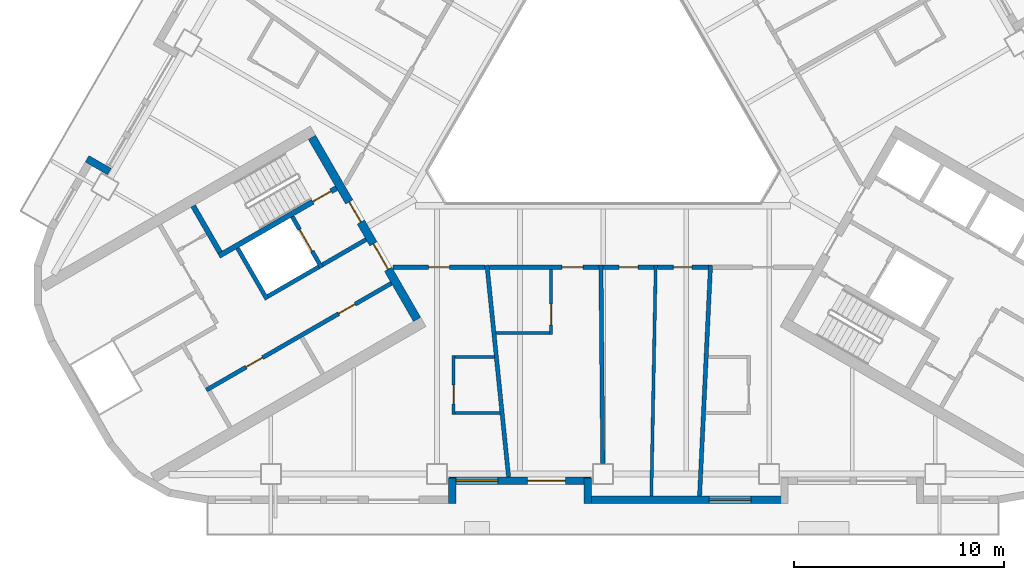
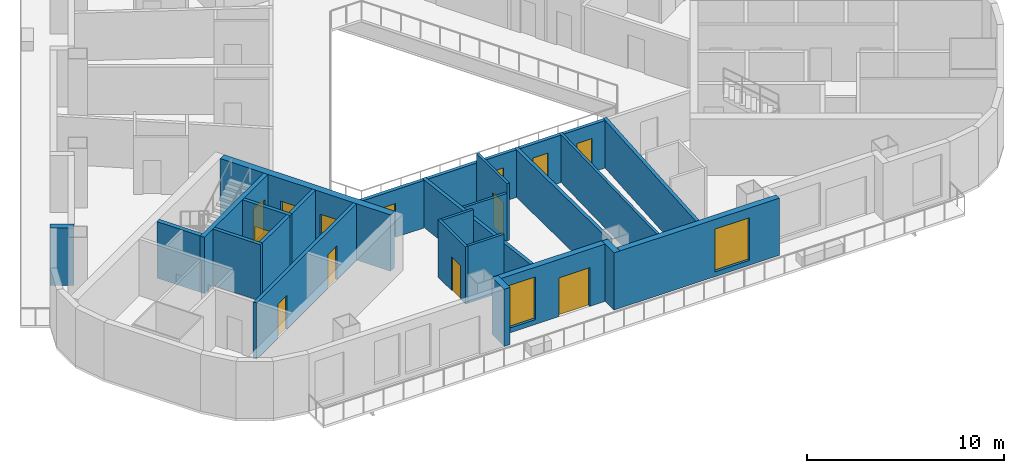
# One storey, part 3 of 14: 26 walls, 13 doors, 2 windows, 15 openings.
"""IFC4 building model written with IfcOpenShell, lengths in metres."""

from ifc_helpers import new_model, si_unit, direction, frame, frame_2d, origin, place, context, subcontext, project, spatial, rectangle, extrude, material, layer, layer_set, type_object, element, fill, save


model = new_model("IFC4")

# Units and contexts
model_context = context("Model", 3, precision=1e-05, world=origin(), true_north=direction((0.0, 1.0)))
body_context = subcontext(model_context, "Body", "Model", "MODEL_VIEW")
ifc_project = project(units=[si_unit("LENGTHUNIT", "METRE"), si_unit("AREAUNIT", "SQUARE_METRE"), si_unit("VOLUMEUNIT", "CUBIC_METRE"), si_unit("PLANEANGLEUNIT", "RADIAN"), si_unit("MASSUNIT", "GRAM", prefix="KILO")], contexts=[model_context])

# Site, building, storey
site_placement = place(None, origin())
site = spatial("IfcSite", under=ifc_project, at=site_placement, CompositionType="ELEMENT")
building_placement = place(site_placement, origin())
building = spatial("IfcBuilding", under=site, at=building_placement, Name="Apuvela Tower Hotel", CompositionType="ELEMENT")
storey_placement = place(building_placement, frame((0.0, 0.0, 72.39990234375)))
storey = spatial("IfcBuildingStorey", under=building, at=storey_placement, Name="L15", CompositionType="ELEMENT", Elevation=72.39990234375)

# Wall, openings, doors
ifc_material_1 = material(Name="Concrete C50/60", Category="concrete")
ifc_layer_1 = layer(ifc_material_1, 0.39990234375)
ifc_layer_set_1 = layer_set([ifc_layer_1], Name="COR-WALL-CORE-400")
wall_type_1 = type_object("IfcWallType", Name="COR-WALL-CORE-400", PredefinedType="SHEAR", material=ifc_layer_set_1)
wall_1_placement = place(storey_placement, frame((-13.844970703125, -2.219970703125, 0.0), z_axis=(0.0, 0.0, 1.0), x_axis=(0.500004234368, -0.866022959057, 0.0)))
wall_1 = element("IfcWall", 1, at=wall_1_placement, inside=storey, type_object=wall_type_1, Name="Core wall SW", PredefinedType="SHEAR", context=body_context, shape_type="SweptSolid", body=[
    extrude(rectangle(XDim=10.0, YDim=0.39990234375, at=frame_2d((5.0, 0.0))), origin(), (0.0, 0.0, 1.0), 3.5),
])
opening_1_placement = place(wall_1_placement, frame((3.550048828125, 0.0, 0.0)))
opening_1 = element("IfcOpeningElement", 2, at=opening_1_placement, cuts=wall_1, Name="Opening W-FD", PredefinedType="OPENING", context=body_context, shape_type="SweptSolid", body=[
    extrude(rectangle(XDim=1.10009765625, YDim=2.10009765625, at=frame_2d((0.550048828125, 1.050048828125))), frame((0.0, 0.2099609375, 0.0), z_axis=(0.0, -1.0, 0.0), x_axis=(1.0, 0.0, 0.0)), (0.0, 0.0, 1.0), 0.419921875),
])
opening_2_placement = place(wall_1_placement, frame((5.85009765625, 0.0, 0.0)))
opening_2 = element("IfcOpeningElement", 3, at=opening_2_placement, cuts=wall_1, Name="Opening W-GD", PredefinedType="OPENING", context=body_context, shape_type="SweptSolid", body=[
    extrude(rectangle(XDim=1.39990234375, YDim=2.10009765625, at=frame_2d((0.699951171875, 1.050048828125))), frame((0.0, 0.2099609375, 0.0), z_axis=(0.0, -1.0, 0.0), x_axis=(1.0, 0.0, 0.0)), (0.0, 0.0, 1.0), 0.419921875),
])
ifc_material_2 = material(Name="Steel fire door, powder coated", Category="steel")
door_type_1 = type_object("IfcDoorType", Name="COR-FD-1100", OperationType="NOTDEFINED", PredefinedType="DOOR", material=ifc_material_2)
door_1_placement = place(opening_1_placement, frame((1.10009765625, 0.0, 0.0), z_axis=(0.0, 0.0, 1.0), x_axis=(-1.0, 0.0, 0.0)))
door_1 = element("IfcDoor", 4, at=door_1_placement, inside=storey, type_object=door_type_1, Name="Firefighting lobby door W-FD", OperationType="SINGLE_SWING_LEFT", OverallHeight=2.10009765625, OverallWidth=1.10009765625, PredefinedType="DOOR", context=body_context, shape_type="SweptSolid", body=[
    extrude(rectangle(XDim=1.10009765625, YDim=2.10009765625, at=frame_2d((0.550048828125, 1.050048828125))), frame((0.0, 0.02490234375, 0.0), z_axis=(0.0, -1.0, 0.0), x_axis=(1.0, 0.0, 0.0)), (0.0, 0.0, 1.0), 0.050048828125),
])
fill(opening_1, door_1)
ifc_material_3 = material(Name="Glazed steel fire door", Category="steel")
door_type_2 = type_object("IfcDoorType", Name="COR-GD-1400", OperationType="DOUBLE_DOOR_SINGLE_SWING", PredefinedType="DOOR", material=ifc_material_3)
door_2_placement = place(opening_2_placement, frame((1.39990234375, 0.0, 0.0), z_axis=(0.0, 0.0, 1.0), x_axis=(-1.0, 0.0, 0.0)))
door_2 = element("IfcDoor", 5, at=door_2_placement, inside=storey, type_object=door_type_2, Name="Lift lobby door W-GD", OperationType="DOUBLE_DOOR_SINGLE_SWING", OverallHeight=2.10009765625, OverallWidth=1.39990234375, PredefinedType="DOOR", context=body_context, shape_type="SweptSolid", body=[
    extrude(rectangle(XDim=1.39990234375, YDim=2.10009765625, at=frame_2d((0.699951171875, 1.050048828125))), frame((0.0, 0.02490234375, 0.0), z_axis=(0.0, -1.0, 0.0), x_axis=(1.0, 0.0, 0.0)), (0.0, 0.0, 1.0), 0.050048828125),
])
fill(opening_2, door_2)

# Wall
ifc_layer_2 = layer(ifc_material_1, 0.199951171875)
ifc_layer_set_2 = layer_set([ifc_layer_2], Name="COR-WALL-SHAFT-200")
wall_type_2 = type_object("IfcWallType", Name="COR-WALL-SHAFT-200", PredefinedType="SHEAR", material=ifc_layer_set_2)
wall_2_placement = place(storey_placement, frame((-17.38134765625, -7.49462890625, 0.0), z_axis=(0.0, 0.0, 1.0), x_axis=(0.500011755427, -0.866018616679, 0.0)))
element("IfcWall", 6, at=wall_2_placement, inside=storey, type_object=wall_type_2, Name="Shaft wall SW", PredefinedType="SHEAR", context=body_context, shape_type="SweptSolid", body=[
    extrude(rectangle(XDim=2.80029296875, YDim=0.199951171875, at=frame_2d((1.400146484375, 0.0))), origin(), (0.0, 0.0, 1.0), 3.5),
])

# Wall, opening, door
wall_3_placement = place(storey_placement, frame((-14.783203125, -5.99462890625, 0.0), z_axis=(0.0, 0.0, 1.0), x_axis=(0.49994636267, -0.866056369097, 0.0)))
wall_3 = element("IfcWall", 7, at=wall_3_placement, inside=storey, type_object=wall_type_2, Name="Shaft wall SW", PredefinedType="SHEAR", context=body_context, shape_type="SweptSolid", body=[
    extrude(rectangle(XDim=2.800048828125, YDim=0.199951171875, at=frame_2d((1.39990234375, 0.0))), origin(), (0.0, 0.0, 1.0), 3.5),
])
opening_3_placement = place(wall_3_placement, frame((0.699951171875, 0.0, 0.0)))
opening_3 = element("IfcOpeningElement", 8, at=opening_3_placement, cuts=wall_3, Name="Opening W-LD-FS2", PredefinedType="OPENING", context=body_context, shape_type="SweptSolid", body=[
    extrude(rectangle(XDim=1.199951171875, YDim=2.10009765625, at=frame_2d((0.60009765625, 1.050048828125))), frame((0.0, 0.10986328125, 0.0), z_axis=(0.0, -1.0, 0.0), x_axis=(1.0, 0.0, 0.0)), (0.0, 0.0, 1.0), 0.219970703125),
])
ifc_material_4 = material(Name="Stainless steel lift landing door", Category="steel")
door_type_3 = type_object("IfcDoorType", Name="COR-LD-1200", OperationType="DOUBLE_DOOR_SLIDING", PredefinedType="DOOR", material=ifc_material_4)
door_3_placement = place(opening_3_placement, origin())
door_3 = element("IfcDoor", 9, at=door_3_placement, inside=storey, type_object=door_type_3, Name="Lift landing door W-LD-FS2", OperationType="DOUBLE_DOOR_SLIDING", OverallHeight=2.10009765625, OverallWidth=1.199951171875, PredefinedType="DOOR", context=body_context, shape_type="SweptSolid", body=[
    extrude(rectangle(XDim=1.199951171875, YDim=2.10009765625, at=frame_2d((0.60009765625, 1.050048828125))), frame((0.0, 0.02490234375, 0.0), z_axis=(0.0, -1.0, 0.0), x_axis=(1.0, 0.0, 0.0)), (0.0, 0.0, 1.0), 0.050048828125),
])
fill(opening_3, door_3)

# Walls
wall_4_placement = place(storey_placement, frame((-13.519775390625, -8.383056640625, 0.0), z_axis=(0.0, 0.0, 1.0), x_axis=(-0.866034573852, -0.49998411664, 0.0)))
element("IfcWall", 10, at=wall_4_placement, inside=storey, type_object=wall_type_2, Name="Shaft wall SW", PredefinedType="SHEAR", context=body_context, shape_type="SweptSolid", body=[
    extrude(rectangle(XDim=2.7998046875, YDim=0.199951171875, at=frame_2d((1.39990234375, 0.0))), origin(), (0.0, 0.0, 1.0), 3.5),
])
wall_5_placement = place(storey_placement, frame((-11.26806640625, -7.0830078125, 0.0), z_axis=(0.0, 0.0, 1.0), x_axis=(-0.866050077142, -0.499957262057, 0.0)))
element("IfcWall", 11, at=wall_5_placement, inside=storey, type_object=wall_type_2, Name="Shaft wall SW", PredefinedType="SHEAR", context=body_context, shape_type="SweptSolid", body=[
    extrude(rectangle(XDim=2.400146484375, YDim=0.199951171875, at=frame_2d((1.2001953125, 0.0))), origin(), (0.0, 0.0, 1.0), 3.5),
])

# Wall, openings, doors
wall_6_placement = place(storey_placement, frame((-10.068115234375, -9.16162109375, 0.0), z_axis=(0.0, 0.0, 1.0), x_axis=(-0.866032725843, -0.499987317609, 0.0)))
wall_6 = element("IfcWall", 12, at=wall_6_placement, inside=storey, type_object=wall_type_2, Name="Shaft wall SW", PredefinedType="SHEAR", context=body_context, shape_type="SweptSolid", body=[
    extrude(rectangle(XDim=10.159912109375, YDim=0.199951171875, at=frame_2d((5.080078125, 0.0))), origin(), (0.0, 0.0, 1.0), 3.5),
])
opening_4_placement = place(wall_6_placement, frame((1.989990234375, 0.0, 0.0)))
opening_4 = element("IfcOpeningElement", 13, at=opening_4_placement, cuts=wall_6, Name="Opening W-RE1", PredefinedType="OPENING", context=body_context, shape_type="SweptSolid", body=[
    extrude(rectangle(XDim=0.89990234375, YDim=2.10009765625, at=frame_2d((0.449951171875, 1.050048828125))), frame((0.0, 0.10986328125, 0.0), z_axis=(0.0, -1.0, 0.0), x_axis=(1.0, 0.0, 0.0)), (0.0, 0.0, 1.0), 0.219970703125),
])
opening_5_placement = place(wall_6_placement, frame((7.070068359375, 0.0, 0.0)))
opening_5 = element("IfcOpeningElement", 14, at=opening_5_placement, cuts=wall_6, Name="Opening W-RE3", PredefinedType="OPENING", context=body_context, shape_type="SweptSolid", body=[
    extrude(rectangle(XDim=0.89990234375, YDim=2.10009765625, at=frame_2d((0.449951171875, 1.050048828125))), frame((0.0, 0.10986328125, 0.0), z_axis=(0.0, -1.0, 0.0), x_axis=(1.0, 0.0, 0.0)), (0.0, 0.0, 1.0), 0.219970703125),
])
door_type_4 = type_object("IfcDoorType", Name="COR-DR-900", OperationType="NOTDEFINED", PredefinedType="DOOR", material=ifc_material_2)
door_4_placement = place(opening_4_placement, origin())
door_4 = element("IfcDoor", 15, at=door_4_placement, inside=storey, type_object=door_type_4, Name="Store door W-RE1", OperationType="SINGLE_SWING_LEFT", OverallHeight=2.10009765625, OverallWidth=0.89990234375, PredefinedType="DOOR", context=body_context, shape_type="SweptSolid", body=[
    extrude(rectangle(XDim=0.89990234375, YDim=2.10009765625, at=frame_2d((0.449951171875, 1.050048828125))), frame((0.0, 0.02490234375, 0.0), z_axis=(0.0, -1.0, 0.0), x_axis=(1.0, 0.0, 0.0)), (0.0, 0.0, 1.0), 0.050048828125),
])
fill(opening_4, door_4)
door_5_placement = place(opening_5_placement, origin())
door_5 = element("IfcDoor", 16, at=door_5_placement, inside=storey, type_object=door_type_4, Name="Store door W-RE3", OperationType="SINGLE_SWING_LEFT", OverallHeight=2.10009765625, OverallWidth=0.89990234375, PredefinedType="DOOR", context=body_context, shape_type="SweptSolid", body=[
    extrude(rectangle(XDim=0.89990234375, YDim=2.10009765625, at=frame_2d((0.449951171875, 1.050048828125))), frame((0.0, 0.02490234375, 0.0), z_axis=(0.0, -1.0, 0.0), x_axis=(1.0, 0.0, 0.0)), (0.0, 0.0, 1.0), 0.050048828125),
])
fill(opening_5, door_5)

# Wall, opening, door
ifc_layer_3 = layer(ifc_material_1, 0.25)
ifc_layer_set_3 = layer_set([ifc_layer_3], Name="COR-WALL-STAIR-250")
wall_type_3 = type_object("IfcWallType", Name="COR-WALL-STAIR-250", PredefinedType="SHEAR", material=ifc_layer_set_3)
wall_7_placement = place(storey_placement, frame((-12.6806640625, -4.636474609375, 0.0), z_axis=(0.0, 0.0, 1.0), x_axis=(-0.866021702275, -0.500006411147, 0.0)))
wall_7 = element("IfcWall", 17, at=wall_7_placement, inside=storey, type_object=wall_type_3, Name="Stair wall SW", PredefinedType="SHEAR", context=body_context, shape_type="SweptSolid", body=[
    extrude(rectangle(XDim=6.4501953125, YDim=0.25, at=frame_2d((3.22509765625, 0.0))), origin(), (0.0, 0.0, 1.0), 3.5),
])
opening_6_placement = place(wall_7_placement, frame((0.300048828125, 0.0, 0.0)))
opening_6 = element("IfcOpeningElement", 18, at=opening_6_placement, cuts=wall_7, Name="Opening W-SD", PredefinedType="OPENING", context=body_context, shape_type="SweptSolid", body=[
    extrude(rectangle(XDim=1.0, YDim=2.10009765625, at=frame_2d((0.5, 1.050048828125))), frame((0.0, 0.135009765625, 0.0), z_axis=(0.0, -1.0, 0.0), x_axis=(1.0, 0.0, 0.0)), (0.0, 0.0, 1.0), 0.27001953125),
])
door_type_5 = type_object("IfcDoorType", Name="COR-SD-1000", OperationType="NOTDEFINED", PredefinedType="DOOR", material=ifc_material_2)
door_6_placement = place(opening_6_placement, frame((1.0, 0.0, 0.0), z_axis=(0.0, 0.0, 1.0), x_axis=(-1.0, 0.0, 0.0)))
door_6 = element("IfcDoor", 19, at=door_6_placement, inside=storey, type_object=door_type_5, Name="Stair door W-SD", OperationType="SINGLE_SWING_LEFT", OverallHeight=2.10009765625, OverallWidth=1.0, PredefinedType="DOOR", context=body_context, shape_type="SweptSolid", body=[
    extrude(rectangle(XDim=1.0, YDim=2.10009765625, at=frame_2d((0.5, 1.050048828125))), frame((0.0, 0.02490234375, 0.0), z_axis=(0.0, -1.0, 0.0), x_axis=(1.0, 0.0, 0.0)), (0.0, 0.0, 1.0), 0.050048828125),
])
fill(opening_6, door_6)

# Walls
wall_8_placement = place(storey_placement, frame((-19.49560546875, -5.482421875, 0.0), z_axis=(0.0, 0.0, 1.0), x_axis=(0.499990435942, -0.866030925526, 0.0)))
element("IfcWall", 20, at=wall_8_placement, inside=storey, type_object=wall_type_3, Name="Stair wall SW", PredefinedType="SHEAR", context=body_context, shape_type="SweptSolid", body=[
    extrude(rectangle(XDim=2.5498046875, YDim=0.25, at=frame_2d((1.27490234375, 0.0))), origin(), (0.0, 0.0, 1.0), 3.5),
])
ifc_material_5 = material(Name="Concrete C40/50, dark pigmented precast panel", Category="concrete")
ifc_layer_4 = layer(ifc_material_5, 0.35009765625)
ifc_layer_set_4 = layer_set([ifc_layer_4], Name="ENV-WALL-350")
wall_type_4 = type_object("IfcWallType", Name="ENV-WALL-350", PredefinedType="SOLIDWALL", material=ifc_layer_set_4)
for number, where, z_axis, x_axis, name in (
    (21, (-23.48095703125, -3.85009765625, 0.0), (0.0, 0.0, 1.0), (-0.866092288191, 0.499884134912, 0.0), "External wall L15-08"),
    (22, (-7.175048828125, -19.6298828125, 0.0), (0.0, 0.0, 1.0), (0.0, 1.0, 0.0), "External wall L15-18"),
):
    element("IfcWall", number, at=place(storey_placement, frame(where, z_axis=z_axis, x_axis=x_axis)), inside=storey, type_object=wall_type_4, Name=name, PredefinedType="SOLIDWALL", context=body_context, shape_type="SweptSolid", body=[
        extrude(rectangle(XDim=1.219970703125, YDim=0.35009765625, at=frame_2d((0.60986328125, 0.0))), origin(), (0.0, 0.0, 1.0), 3.550048828125),
    ])

# Wall, openings, door, window
wall_9_placement = place(storey_placement, frame((-7.320068359375, -18.554931640625, 0.0), z_axis=(0.0, 0.0, 1.0), x_axis=(1.0, 0.0, 0.0)))
wall_9 = element("IfcWall", 23, at=wall_9_placement, inside=storey, type_object=wall_type_4, Name="External wall L15-19", PredefinedType="SOLIDWALL", context=body_context, shape_type="SweptSolid", body=[
    extrude(rectangle(XDim=6.739990234375, YDim=0.35009765625, at=frame_2d((3.3701171875, 0.0))), origin(), (0.0, 0.0, 1.0), 3.550048828125),
])
opening_7_placement = place(wall_9_placement, frame((0.3203125, 0.0, 0.300048828125)))
opening_7 = element("IfcOpeningElement", 24, at=opening_7_placement, cuts=wall_9, Name="Opening WN20", PredefinedType="OPENING", context=body_context, shape_type="SweptSolid", body=[
    extrude(rectangle(XDim=2.0, YDim=2.64990234375, at=frame_2d((1.0, 1.324951171875))), frame((0.0, 0.18505859375, 0.0), z_axis=(0.0, -1.0, 0.0), x_axis=(1.0, 0.0, 0.0)), (0.0, 0.0, 1.0), 0.3701171875),
])
opening_8_placement = place(wall_9_placement, frame((3.7236328125, 0.0, 0.0)))
opening_8 = element("IfcOpeningElement", 25, at=opening_8_placement, cuts=wall_9, Name="Opening BD18", PredefinedType="OPENING", context=body_context, shape_type="SweptSolid", body=[
    extrude(rectangle(XDim=1.800048828125, YDim=2.39990234375, at=frame_2d((0.89990234375, 1.199951171875))), frame((0.0, 0.18505859375, 0.0), z_axis=(0.0, -1.0, 0.0), x_axis=(1.0, 0.0, 0.0)), (0.0, 0.0, 1.0), 0.3701171875),
])
ifc_material_6 = material(Name="Aluminium 6063-T6, dark bronze anodised frame with dark tinted laminated glass", Category="aluminium")
door_type_6 = type_object("IfcDoorType", Name="ENV-DOOR-BALCONY-1800x2400", OperationType="SLIDING_TO_LEFT", PredefinedType="DOOR", material=ifc_material_6)
door_7_placement = place(opening_8_placement, frame((1.800048828125, 0.0, 0.0), z_axis=(0.0, 0.0, 1.0), x_axis=(-1.0, 0.0, 0.0)))
door_7 = element("IfcDoor", 26, at=door_7_placement, inside=storey, type_object=door_type_6, Name="Balcony door BD18", OperationType="SLIDING_TO_LEFT", OverallHeight=2.39990234375, OverallWidth=1.800048828125, PredefinedType="DOOR", context=body_context, shape_type="SweptSolid", body=[
    extrude(rectangle(XDim=1.800048828125, YDim=2.39990234375, at=frame_2d((0.89990234375, 1.199951171875))), frame((0.0, 0.02490234375, 0.0), z_axis=(0.0, -1.0, 0.0), x_axis=(1.0, 0.0, 0.0)), (0.0, 0.0, 1.0), 0.050048828125),
])
fill(opening_8, door_7)
ifc_material_7 = material(Name="Glass, dark tinted laminated insulated glazing unit", Category="glass")
window_type = type_object("IfcWindowType", Name="ENV-WIN-2000x2650", PartitioningType="SINGLE_PANEL", PredefinedType="WINDOW", material=ifc_material_7)
window_1_placement = place(opening_7_placement, origin())
window_1 = element("IfcWindow", 27, at=window_1_placement, inside=storey, type_object=window_type, Name="Window WN20", OverallHeight=2.64990234375, OverallWidth=2.0, PartitioningType="SINGLE_PANEL", PredefinedType="WINDOW", context=body_context, shape_type="SweptSolid", body=[
    extrude(rectangle(XDim=2.0, YDim=2.64990234375, at=frame_2d((1.0, 1.324951171875))), frame((0.0, 0.030029296875, 0.0), z_axis=(0.0, -1.0, 0.0), x_axis=(1.0, 0.0, 0.0)), (0.0, 0.0, 1.0), 0.06005859375),
])
fill(opening_7, window_1)

# Wall
wall_10_placement = place(storey_placement, frame((-0.72509765625, -18.409912109375, 0.0), z_axis=(0.0, 0.0, 1.0), x_axis=(0.0, -1.0, 0.0)))
element("IfcWall", 28, at=wall_10_placement, inside=storey, type_object=wall_type_4, Name="External wall L15-20", PredefinedType="SOLIDWALL", context=body_context, shape_type="SweptSolid", body=[
    extrude(rectangle(XDim=1.219970703125, YDim=0.35009765625, at=frame_2d((0.60986328125, 0.0))), origin(), (0.0, 0.0, 1.0), 3.550048828125),
])

# Wall, opening, window
wall_11_placement = place(storey_placement, frame((-0.89990234375, -19.455078125, 0.0), z_axis=(0.0, 0.0, 1.0), x_axis=(1.0, 0.0, 0.0)))
wall_11 = element("IfcWall", 29, at=wall_11_placement, inside=storey, type_object=wall_type_4, Name="External wall L15-21", PredefinedType="SOLIDWALL", context=body_context, shape_type="SweptSolid", body=[
    extrude(rectangle(XDim=9.699951171875, YDim=0.35009765625, at=frame_2d((4.85009765625, 0.0))), origin(), (0.0, 0.0, 1.0), 3.550048828125),
])
opening_9_placement = place(wall_11_placement, frame((5.9404296875, 0.0, 0.300048828125)))
opening_9 = element("IfcOpeningElement", 30, at=opening_9_placement, cuts=wall_11, Name="Opening WN20", PredefinedType="OPENING", context=body_context, shape_type="SweptSolid", body=[
    extrude(rectangle(XDim=2.0, YDim=2.64990234375, at=frame_2d((1.0, 1.324951171875))), frame((0.0, 0.18505859375, 0.0), z_axis=(0.0, -1.0, 0.0), x_axis=(1.0, 0.0, 0.0)), (0.0, 0.0, 1.0), 0.3701171875),
])
window_2_placement = place(opening_9_placement, origin())
window_2 = element("IfcWindow", 31, at=window_2_placement, inside=storey, type_object=window_type, Name="Window WN20", OverallHeight=2.64990234375, OverallWidth=2.0, PartitioningType="SINGLE_PANEL", PredefinedType="WINDOW", context=body_context, shape_type="SweptSolid", body=[
    extrude(rectangle(XDim=2.0, YDim=2.64990234375, at=frame_2d((1.0, 1.324951171875))), frame((0.0, 0.030029296875, 0.0), z_axis=(0.0, -1.0, 0.0), x_axis=(1.0, 0.0, 0.0)), (0.0, 0.0, 1.0), 0.06005859375),
])
fill(opening_9, window_2)

# Walls
ifc_material_8 = material(Name="Gypsum board partition on twin steel stud", Category="steel")
ifc_layer_5 = layer(ifc_material_8, 0.199951171875)
ifc_layer_set_5 = layer_set([ifc_layer_5], Name="GST-PW1")
wall_type_5 = type_object("IfcWallType", Name="GST-PW1", PredefinedType="PARTITIONING", material=ifc_layer_set_5)
wall_12_placement = place(storey_placement, frame((-4.49169921875, -18.3798828125, 0.0), z_axis=(0.0, 0.0, 1.0), x_axis=(-0.101538508549, 0.994831609511, 0.0)))
element("IfcWall", 32, at=wall_12_placement, inside=storey, type_object=wall_type_5, Name="L15 partition 01", PredefinedType="PARTITIONING", context=body_context, shape_type="SweptSolid", body=[
    extrude(rectangle(XDim=10.132080078125, YDim=0.199951171875, at=frame_2d((5.06591796875, 0.0))), origin(), (0.0, 0.0, 1.0), 2.960205078125),
])
wall_13_placement = place(storey_placement, frame((-0.014404296875, -17.72998046875, 0.0), z_axis=(0.0, 0.0, 1.0), x_axis=(-0.00926821032, 0.999957049216, 0.0)))
element("IfcWall", 33, at=wall_13_placement, inside=storey, type_object=wall_type_5, Name="L15 partition 02", PredefinedType="PARTITIONING", context=body_context, shape_type="SweptSolid", body=[
    extrude(rectangle(XDim=9.430419921875, YDim=0.199951171875, at=frame_2d((4.71533203125, 0.0))), origin(), (0.0, 0.0, 1.0), 2.9501953125),
])
wall_14_placement = place(storey_placement, frame((4.590087890625, -19.280029296875, 0.0), z_axis=(0.0, 0.0, 1.0), x_axis=(0.04726334954, 0.998882463451, 0.0)))
element("IfcWall", 34, at=wall_14_placement, inside=storey, type_object=wall_type_5, Name="L15 partition 03", PredefinedType="PARTITIONING", context=body_context, shape_type="SweptSolid", body=[
    extrude(rectangle(XDim=10.9921875, YDim=0.199951171875, at=frame_2d((5.49609375, 0.0))), origin(), (0.0, 0.0, 1.0), 2.960205078125),
])

# Wall, opening, door
ifc_material_9 = material(Name="Gypsum board corridor wall on twin steel stud, acoustic", Category="steel")
ifc_layer_6 = layer(ifc_material_9, 0.199951171875)
ifc_layer_set_6 = layer_set([ifc_layer_6], Name="GST-PW2")
wall_type_6 = type_object("IfcWallType", Name="GST-PW2", PredefinedType="PARTITIONING", material=ifc_layer_set_6)
wall_15_placement = place(storey_placement, frame((-5.610595703125, -8.39990234375, 0.0), z_axis=(0.0, 0.0, 1.0), x_axis=(-1.0, 0.0, 0.0)))
wall_15 = element("IfcWall", 35, at=wall_15_placement, inside=storey, type_object=wall_type_6, Name="L15 partition 09", PredefinedType="PARTITIONING", context=body_context, shape_type="SweptSolid", body=[
    extrude(rectangle(XDim=4.377685546875, YDim=0.199951171875, at=frame_2d((2.18896484375, 0.0))), origin(), (0.0, 0.0, 1.0), 2.9501953125),
])
opening_10_placement = place(wall_15_placement, frame((1.688720703125, 0.0, 0.0)))
opening_10 = element("IfcOpeningElement", 36, at=opening_10_placement, cuts=wall_15, Name="Opening GD04-02", PredefinedType="OPENING", context=body_context, shape_type="SweptSolid", body=[
    extrude(rectangle(XDim=1.0, YDim=2.10009765625, at=frame_2d((0.5, 1.050048828125))), frame((0.0, 0.10986328125, 0.0), z_axis=(0.0, -1.0, 0.0), x_axis=(1.0, 0.0, 0.0)), (0.0, 0.0, 1.0), 0.219970703125),
])
ifc_material_10 = material(Name="Timber door leaf in steel frame", Category="steel")
door_type_7 = type_object("IfcDoorType", Name="GST-D1", OperationType="NOTDEFINED", PredefinedType="DOOR", material=ifc_material_10)
door_8_placement = place(opening_10_placement, origin())
door_8 = element("IfcDoor", 37, at=door_8_placement, inside=storey, type_object=door_type_7, Name="Door L15-02", OperationType="SINGLE_SWING_LEFT", OverallHeight=2.10009765625, OverallWidth=1.0, PredefinedType="DOOR", context=body_context, shape_type="SweptSolid", body=[
    extrude(rectangle(XDim=1.0, YDim=2.10009765625, at=frame_2d((0.5, 1.050048828125))), frame((0.0, 0.02490234375, 0.0), z_axis=(0.0, -1.0, 0.0), x_axis=(1.0, 0.0, 0.0)), (0.0, 0.0, 1.0), 0.050048828125),
])
fill(opening_10, door_8)

wall_16_placement = place(storey_placement, frame((-0.200927734375, -8.39990234375, 0.0), z_axis=(0.0, 0.0, 1.0), x_axis=(-1.0, 0.0, 0.0)))
wall_16 = element("IfcWall", 38, at=wall_16_placement, inside=storey, type_object=wall_type_6, Name="L15 partition 13", PredefinedType="PARTITIONING", context=body_context, shape_type="SweptSolid", body=[
    extrude(rectangle(XDim=5.208740234375, YDim=0.199951171875, at=frame_2d((2.6044921875, 0.0))), origin(), (0.0, 0.0, 1.0), 2.9501953125),
])
opening_11_placement = place(wall_16_placement, frame((0.74853515625, 0.0, 0.0)))
opening_11 = element("IfcOpeningElement", 39, at=opening_11_placement, cuts=wall_16, Name="Opening GD04-04", PredefinedType="OPENING", context=body_context, shape_type="SweptSolid", body=[
    extrude(rectangle(XDim=1.0, YDim=2.10009765625, at=frame_2d((0.5, 1.050048828125))), frame((0.0, 0.10986328125, 0.0), z_axis=(0.0, -1.0, 0.0), x_axis=(1.0, 0.0, 0.0)), (0.0, 0.0, 1.0), 0.219970703125),
])
door_9_placement = place(opening_11_placement, origin())
door_9 = element("IfcDoor", 40, at=door_9_placement, inside=storey, type_object=door_type_7, Name="Door L15-04", OperationType="SINGLE_SWING_LEFT", OverallHeight=2.10009765625, OverallWidth=1.0, PredefinedType="DOOR", context=body_context, shape_type="SweptSolid", body=[
    extrude(rectangle(XDim=1.0, YDim=2.10009765625, at=frame_2d((0.5, 1.050048828125))), frame((0.0, 0.02490234375, 0.0), z_axis=(0.0, -1.0, 0.0), x_axis=(1.0, 0.0, 0.0)), (0.0, 0.0, 1.0), 0.050048828125),
])
fill(opening_11, door_9)

wall_17_placement = place(storey_placement, frame((2.427001953125, -8.39990234375, 0.0), z_axis=(0.0, 0.0, 1.0), x_axis=(-1.0, 0.0, 0.0)))
wall_17 = element("IfcWall", 41, at=wall_17_placement, inside=storey, type_object=wall_type_6, Name="L15 partition 17", PredefinedType="PARTITIONING", context=body_context, shape_type="SweptSolid", body=[
    extrude(rectangle(XDim=2.427978515625, YDim=0.199951171875, at=frame_2d((1.2138671875, 0.0))), origin(), (0.0, 0.0, 1.0), 2.9501953125),
])
opening_12_placement = place(wall_17_placement, frame((0.763916015625, 0.0, 0.0)))
opening_12 = element("IfcOpeningElement", 42, at=opening_12_placement, cuts=wall_17, Name="Opening GD04-05", PredefinedType="OPENING", context=body_context, shape_type="SweptSolid", body=[
    extrude(rectangle(XDim=0.89990234375, YDim=2.10009765625, at=frame_2d((0.449951171875, 1.050048828125))), frame((0.0, 0.10986328125, 0.0), z_axis=(0.0, -1.0, 0.0), x_axis=(1.0, 0.0, 0.0)), (0.0, 0.0, 1.0), 0.219970703125),
])
door_type_8 = type_object("IfcDoorType", Name="GST-D2", OperationType="NOTDEFINED", PredefinedType="DOOR", material=ifc_material_10)
door_10_placement = place(opening_12_placement, origin())
door_10 = element("IfcDoor", 43, at=door_10_placement, inside=storey, type_object=door_type_8, Name="Door L15-05", OperationType="SINGLE_SWING_LEFT", OverallHeight=2.10009765625, OverallWidth=0.89990234375, PredefinedType="DOOR", context=body_context, shape_type="SweptSolid", body=[
    extrude(rectangle(XDim=0.89990234375, YDim=2.10009765625, at=frame_2d((0.449951171875, 1.050048828125))), frame((0.0, 0.02490234375, 0.0), z_axis=(0.0, -1.0, 0.0), x_axis=(1.0, 0.0, 0.0)), (0.0, 0.0, 1.0), 0.050048828125),
])
fill(opening_12, door_10)

wall_18_placement = place(storey_placement, frame((5.004638671875, -8.39990234375, 0.0), z_axis=(0.0, 0.0, 1.0), x_axis=(-1.0, 0.0, 0.0)))
wall_18 = element("IfcWall", 44, at=wall_18_placement, inside=storey, type_object=wall_type_6, Name="L15 partition 18", PredefinedType="PARTITIONING", context=body_context, shape_type="SweptSolid", body=[
    extrude(rectangle(XDim=2.427734375, YDim=0.199951171875, at=frame_2d((1.2138671875, 0.0))), origin(), (0.0, 0.0, 1.0), 2.9501953125),
])
opening_13_placement = place(wall_18_placement, frame((0.763916015625, 0.0, 0.0)))
opening_13 = element("IfcOpeningElement", 45, at=opening_13_placement, cuts=wall_18, Name="Opening GD04-06", PredefinedType="OPENING", context=body_context, shape_type="SweptSolid", body=[
    extrude(rectangle(XDim=0.89990234375, YDim=2.10009765625, at=frame_2d((0.449951171875, 1.050048828125))), frame((0.0, 0.10986328125, 0.0), z_axis=(0.0, -1.0, 0.0), x_axis=(1.0, 0.0, 0.0)), (0.0, 0.0, 1.0), 0.219970703125),
])
door_11_placement = place(opening_13_placement, origin())
door_11 = element("IfcDoor", 46, at=door_11_placement, inside=storey, type_object=door_type_8, Name="Door L15-06", OperationType="SINGLE_SWING_RIGHT", OverallHeight=2.10009765625, OverallWidth=0.89990234375, PredefinedType="DOOR", context=body_context, shape_type="SweptSolid", body=[
    extrude(rectangle(XDim=0.89990234375, YDim=2.10009765625, at=frame_2d((0.449951171875, 1.050048828125))), frame((0.0, 0.02490234375, 0.0), z_axis=(0.0, -1.0, 0.0), x_axis=(1.0, 0.0, 0.0)), (0.0, 0.0, 1.0), 0.050048828125),
])
fill(opening_13, door_11)

ifc_material_11 = material(Name="Moisture-resistant gypsum board wet wall on steel stud", Category="steel")
ifc_layer_7 = layer(ifc_material_11, 0.14990234375)
ifc_layer_set_7 = layer_set([ifc_layer_7], Name="GST-PW3")
wall_type_7 = type_object("IfcWallType", Name="GST-PW3", PredefinedType="PARTITIONING", material=ifc_layer_set_7)
wall_19_placement = place(storey_placement, frame((-7.107177734375, -12.60009765625, 0.0), z_axis=(0.0, 0.0, 1.0), x_axis=(0.0, -1.0, 0.0)))
wall_19 = element("IfcWall", 47, at=wall_19_placement, inside=storey, type_object=wall_type_7, Name="L15 partition 10", PredefinedType="PARTITIONING", context=body_context, shape_type="SweptSolid", body=[
    extrude(rectangle(XDim=2.7998046875, YDim=0.14990234375, at=frame_2d((1.39990234375, 0.0))), origin(), (0.0, 0.0, 1.0), 3.550048828125),
])
opening_14_placement = place(wall_19_placement, frame((1.39990234375, 0.0, 0.0)))
opening_14 = element("IfcOpeningElement", 48, at=opening_14_placement, cuts=wall_19, Name="Opening GD04-01", PredefinedType="OPENING", context=body_context, shape_type="SweptSolid", body=[
    extrude(rectangle(XDim=0.89990234375, YDim=2.10009765625, at=frame_2d((0.449951171875, 1.050048828125))), frame((0.0, 0.0849609375, 0.0), z_axis=(0.0, -1.0, 0.0), x_axis=(1.0, 0.0, 0.0)), (0.0, 0.0, 1.0), 0.169921875),
])
door_12_placement = place(opening_14_placement, origin())
door_12 = element("IfcDoor", 49, at=door_12_placement, inside=storey, type_object=door_type_8, Name="Door L15-01", OperationType="SINGLE_SWING_RIGHT", OverallHeight=2.10009765625, OverallWidth=0.89990234375, PredefinedType="DOOR", context=body_context, shape_type="SweptSolid", body=[
    extrude(rectangle(XDim=0.89990234375, YDim=2.10009765625, at=frame_2d((0.449951171875, 1.050048828125))), frame((0.0, 0.02490234375, 0.0), z_axis=(0.0, -1.0, 0.0), x_axis=(1.0, 0.0, 0.0)), (0.0, 0.0, 1.0), 0.050048828125),
])
fill(opening_14, door_12)

# Walls
wall_20_placement = place(storey_placement, frame((-7.0322265625, -15.324951171875, 0.0), z_axis=(0.0, 0.0, 1.0), x_axis=(1.0, 0.0, 0.0)))
element("IfcWall", 50, at=wall_20_placement, inside=storey, type_object=wall_type_7, Name="L15 partition 11", PredefinedType="PARTITIONING", context=body_context, shape_type="SweptSolid", body=[
    extrude(rectangle(XDim=2.128173828125, YDim=0.14990234375, at=frame_2d((1.06396484375, 0.0))), origin(), (0.0, 0.0, 1.0), 3.550048828125),
])
wall_21_placement = place(storey_placement, frame((-7.0322265625, -12.675048828125, 0.0), z_axis=(0.0, 0.0, 1.0), x_axis=(1.0, 0.0, 0.0)))
element("IfcWall", 51, at=wall_21_placement, inside=storey, type_object=wall_type_7, Name="L15 partition 12", PredefinedType="PARTITIONING", context=body_context, shape_type="SweptSolid", body=[
    extrude(rectangle(XDim=1.857666015625, YDim=0.14990234375, at=frame_2d((0.9287109375, 0.0))), origin(), (0.0, 0.0, 1.0), 3.550048828125),
])

# Wall, opening, door
wall_22_placement = place(storey_placement, frame((-2.474609375, -11.60009765625, 0.0), z_axis=(0.0, 0.0, 1.0), x_axis=(0.0, 1.0, 0.0)))
wall_22 = element("IfcWall", 52, at=wall_22_placement, inside=storey, type_object=wall_type_7, Name="L15 partition 14", PredefinedType="PARTITIONING", context=body_context, shape_type="SweptSolid", body=[
    extrude(rectangle(XDim=3.10009765625, YDim=0.14990234375, at=frame_2d((1.550048828125, 0.0))), origin(), (0.0, 0.0, 1.0), 3.550048828125),
])
opening_15_placement = place(wall_22_placement, frame((0.449951171875, 0.0, 0.0)))
opening_15 = element("IfcOpeningElement", 53, at=opening_15_placement, cuts=wall_22, Name="Opening GD04-03", PredefinedType="OPENING", context=body_context, shape_type="SweptSolid", body=[
    extrude(rectangle(XDim=1.0, YDim=2.10009765625, at=frame_2d((0.5, 1.050048828125))), frame((0.0, 0.0849609375, 0.0), z_axis=(0.0, -1.0, 0.0), x_axis=(1.0, 0.0, 0.0)), (0.0, 0.0, 1.0), 0.169921875),
])
door_13_placement = place(opening_15_placement, origin())
door_13 = element("IfcDoor", 54, at=door_13_placement, inside=storey, type_object=door_type_7, Name="Door L15-03", OperationType="SINGLE_SWING_LEFT", OverallHeight=2.10009765625, OverallWidth=1.0, PredefinedType="DOOR", context=body_context, shape_type="SweptSolid", body=[
    extrude(rectangle(XDim=1.0, YDim=2.10009765625, at=frame_2d((0.5, 1.050048828125))), frame((0.0, 0.02490234375, 0.0), z_axis=(0.0, -1.0, 0.0), x_axis=(1.0, 0.0, 0.0)), (0.0, 0.0, 1.0), 0.050048828125),
])
fill(opening_15, door_13)

# Walls
wall_23_placement = place(storey_placement, frame((-5.0908203125, -11.52490234375, 0.0), z_axis=(0.0, 0.0, 1.0), x_axis=(1.0, 0.0, 0.0)))
element("IfcWall", 55, at=wall_23_placement, inside=storey, type_object=wall_type_7, Name="L15 partition 15", PredefinedType="PARTITIONING", context=body_context, shape_type="SweptSolid", body=[
    extrude(rectangle(XDim=2.541259765625, YDim=0.14990234375, at=frame_2d((1.2705078125, 0.0))), origin(), (0.0, 0.0, 1.0), 2.9501953125),
])
wall_24_placement = place(storey_placement, frame((2.294921875, -19.280029296875, 0.0), z_axis=(0.0, 0.0, 1.0), x_axis=(0.01902977261, 0.999818917482, 0.0)))
element("IfcWall", 56, at=wall_24_placement, inside=storey, type_object=wall_type_7, Name="L15 partition 16", PredefinedType="PARTITIONING", context=body_context, shape_type="SweptSolid", body=[
    extrude(rectangle(XDim=10.98193359375, YDim=0.14990234375, at=frame_2d((5.490966796875, 0.0))), origin(), (0.0, 0.0, 1.0), 2.960205078125),
])

save(model, "model.ifc")
